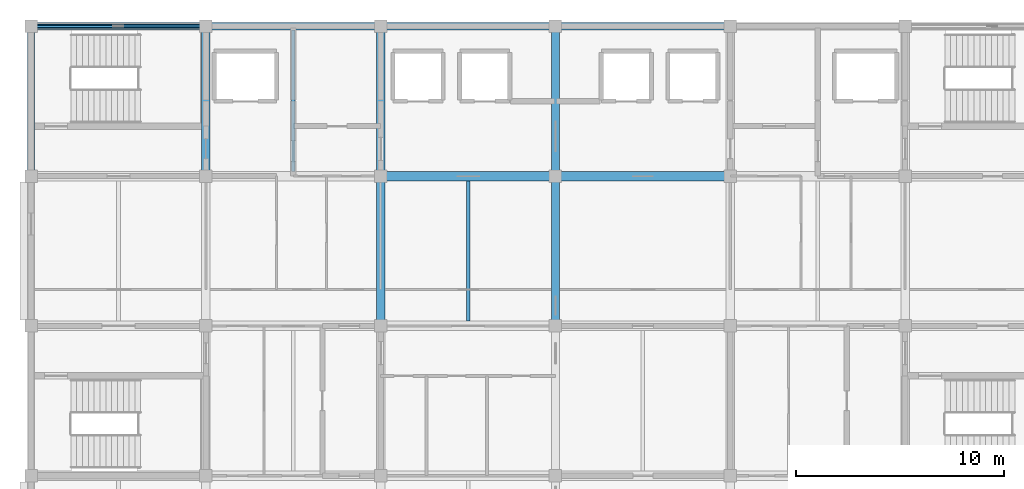
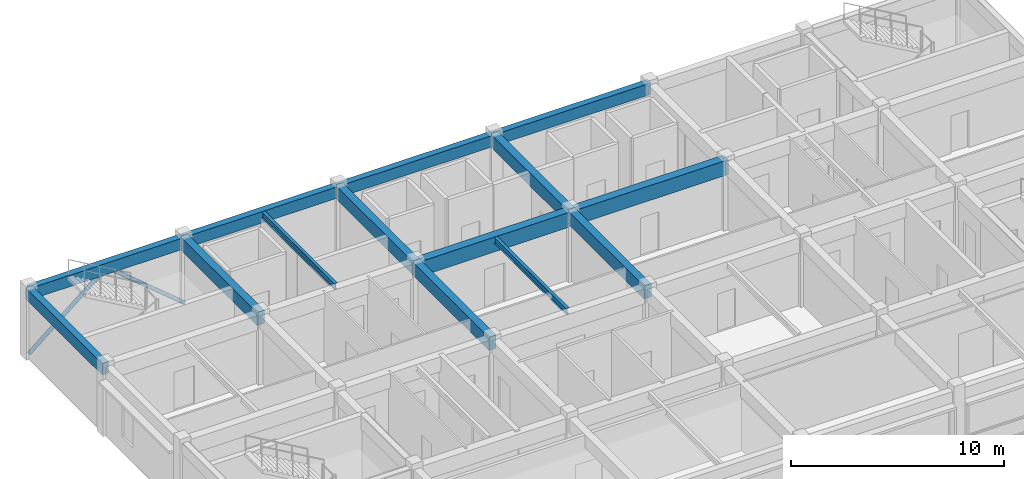
# One storey, part 3 of 13: 14 beams, 2 members.
"""IFC4 building model written with IfcOpenShell, lengths in metres."""

from ifc_helpers import new_model, si_unit, direction, frame, origin, origin_2d, place, context, subcontext, project, spatial, rectangle, hollow_circle, i_section, extrude, material, material_profile, profile_set, type_object, element, save


model = new_model("IFC4")

# Units and contexts
model_context = context("Model", 3, precision=1e-05, world=origin(), true_north=direction((0.0, 1.0)))
body_context = subcontext(model_context, "Body", "Model", "MODEL_VIEW")
ifc_project = project(units=[si_unit("LENGTHUNIT", "METRE"), si_unit("AREAUNIT", "SQUARE_METRE"), si_unit("VOLUMEUNIT", "CUBIC_METRE"), si_unit("PLANEANGLEUNIT", "RADIAN"), si_unit("MASSUNIT", "GRAM", prefix="KILO")], contexts=[model_context])

# Site, building, storey
site_placement = place(None, origin())
site = spatial("IfcSite", under=ifc_project, at=site_placement, CompositionType="ELEMENT")
building_placement = place(site_placement, origin())
building = spatial("IfcBuilding", under=site, at=building_placement, Name="Chengyuan Square Courthouse", CompositionType="ELEMENT")
storey_placement = place(building_placement, frame((0.0, 0.0, 64.5)))
storey = spatial("IfcBuildingStorey", under=building, at=storey_placement, Name="L15", CompositionType="ELEMENT", Elevation=64.5)

# Beams
ifc_material_1 = material(Name="Concrete C40", Category="concrete")
ifc_material_profile_1 = material_profile(ifc_material_1, rectangle(XDim=0.449951171875, YDim=0.85009765625, at=origin_2d()), Name="RC-BM-450x850")
ifc_profile_set_1 = profile_set([ifc_material_profile_1], Name="Concrete C40")
beam_type_1 = type_object("IfcBeamType", Name="BM-01", PredefinedType="USERDEFINED", material=ifc_profile_set_1)
for number, where, z_axis, x_axis, name in (
    (1, (75.60009765625, 100.800048828125, 3.52490234375), (1.0, 0.0, 0.0), (0.0, 1.0, 0.0), "Girder BM-L15-4511"),
    (2, (84.0, 100.800048828125, 3.52490234375), (1.0, 0.0, 0.0), (0.0, 1.0, 0.0), "Girder BM-L15-4512"),
):
    element("IfcBeam", number, at=place(storey_placement, frame(where, z_axis=z_axis, x_axis=x_axis)), inside=storey, type_object=beam_type_1, Name=name, ObjectType="GIRDER", PredefinedType="USERDEFINED", context=body_context, shape_type="SweptSolid", body=[
        extrude(rectangle(XDim=0.449951171875, YDim=0.85009765625, at=origin_2d()), origin(), (0.0, 0.0, 1.0), 8.39990234375),
    ])
ifc_material_profile_2 = material_profile(ifc_material_1, rectangle(XDim=0.39990234375, YDim=0.75, at=origin_2d()), Name="RC-BM-400x750")
ifc_profile_set_2 = profile_set([ifc_material_profile_2], Name="Concrete C40")
beam_type_2 = type_object("IfcBeamType", Name="BM-02", PredefinedType="USERDEFINED", material=ifc_profile_set_2)
for number, where, z_axis, x_axis, name in (
    (3, (67.199951171875, 100.800048828125, 3.574951171875), (0.0, 1.0, 0.0), (-1.0, 0.0, 0.0), "Girder BM-L15-4528"),
    (4, (75.60009765625, 93.60009765625, 3.574951171875), (0.0, 1.0, 0.0), (-1.0, 0.0, 0.0), "Girder BM-L15-4531"),
    (5, (75.60009765625, 100.800048828125, 3.574951171875), (0.0, 1.0, 0.0), (-1.0, 0.0, 0.0), "Girder BM-L15-4532"),
    (6, (84.0, 93.60009765625, 3.574951171875), (0.0, 1.0, 0.0), (-1.0, 0.0, 0.0), "Girder BM-L15-4535"),
    (7, (84.0, 100.800048828125, 3.574951171875), (0.0, 1.0, 0.0), (-1.0, 0.0, 0.0), "Girder BM-L15-4536"),
):
    element("IfcBeam", number, at=place(storey_placement, frame(where, z_axis=z_axis, x_axis=x_axis)), inside=storey, type_object=beam_type_2, Name=name, ObjectType="GIRDER", PredefinedType="USERDEFINED", context=body_context, shape_type="SweptSolid", body=[
        extrude(rectangle(XDim=0.39990234375, YDim=0.75, at=origin_2d()), origin(), (0.0, 0.0, 1.0), 7.199951171875),
    ])
ifc_material_profile_3 = material_profile(ifc_material_1, rectangle(XDim=0.35009765625, YDim=0.64990234375, at=origin_2d()), Name="RC-BM-350x650")
ifc_profile_set_3 = profile_set([ifc_material_profile_3], Name="Concrete C40")
beam_type_3 = type_object("IfcBeamType", Name="BM-03", PredefinedType="SPANDREL", material=ifc_profile_set_3)
beam_1_placement = place(storey_placement, frame((58.800048828125, 108.0, 3.625), z_axis=(1.0, 0.0, 0.0), x_axis=(0.0, 1.0, 0.0)))
element("IfcBeam", 8, at=beam_1_placement, inside=storey, type_object=beam_type_3, Name="Girder BM-L15-4515", PredefinedType="SPANDREL", context=body_context, shape_type="SweptSolid", body=[
    extrude(rectangle(XDim=0.35009765625, YDim=0.64990234375, at=origin_2d()), origin(), (0.0, 0.0, 1.0), 8.39990234375),
])
beam_2_placement = place(storey_placement, frame((67.199951171875, 108.0, 3.625), z_axis=(1.0, 0.0, 0.0), x_axis=(0.0, 1.0, 0.0)))
element("IfcBeam", 9, at=beam_2_placement, inside=storey, type_object=beam_type_3, Name="Girder BM-L15-4516", PredefinedType="SPANDREL", context=body_context, shape_type="SweptSolid", body=[
    extrude(rectangle(XDim=0.35009765625, YDim=0.64990234375, at=origin_2d()), origin(), (0.0, 0.0, 1.0), 8.400146484375),
])
for number, where, z_axis, x_axis, name in (
    (10, (75.60009765625, 108.0, 3.625), (1.0, 0.0, 0.0), (0.0, 1.0, 0.0), "Girder BM-L15-4517"),
    (11, (84.0, 108.0, 3.625), (1.0, 0.0, 0.0), (0.0, 1.0, 0.0), "Girder BM-L15-4518"),
):
    element("IfcBeam", number, at=place(storey_placement, frame(where, z_axis=z_axis, x_axis=x_axis)), inside=storey, type_object=beam_type_3, Name=name, PredefinedType="SPANDREL", context=body_context, shape_type="SweptSolid", body=[
        extrude(rectangle(XDim=0.35009765625, YDim=0.64990234375, at=origin_2d()), origin(), (0.0, 0.0, 1.0), 8.39990234375),
    ])
beam_3_placement = place(storey_placement, frame((58.800048828125, 100.800048828125, 3.625), z_axis=(0.0, 1.0, 0.0), x_axis=(-1.0, 0.0, 0.0)))
element("IfcBeam", 12, at=beam_3_placement, inside=storey, type_object=beam_type_3, Name="Girder BM-L15-4524", PredefinedType="SPANDREL", context=body_context, shape_type="SweptSolid", body=[
    extrude(rectangle(XDim=0.35009765625, YDim=0.64990234375, at=origin_2d()), origin(), (0.0, 0.0, 1.0), 7.199951171875),
])
ifc_material_2 = material(Name="Steel Q355B", Category="steel")
ifc_material_profile_4 = material_profile(ifc_material_2, i_section(OverallWidth=0.175048828125, OverallDepth=0.35009765625, WebThickness=0.007080078125, FlangeThickness=0.010986328125, at=origin_2d()), Name="HN 350x175x7x11")
ifc_profile_set_4 = profile_set([ifc_material_profile_4], Name="Steel Q355B")
beam_type_4 = type_object("IfcBeamType", Name="BM-08", PredefinedType="BEAM", material=ifc_profile_set_4)
beam_4_placement = place(storey_placement, frame((71.39990234375, 101.02490234375, 3.77490234375), z_axis=(0.0, 1.0, 0.0), x_axis=(-1.0, 0.0, 0.0)))
element("IfcBeam", 13, at=beam_4_placement, inside=storey, type_object=beam_type_4, Name="Secondary Floor Beam SBM-L15-4552", PredefinedType="BEAM", context=body_context, shape_type="SweptSolid", body=[
    extrude(i_section(OverallWidth=0.175048828125, OverallDepth=0.35009765625, WebThickness=0.007080078125, FlangeThickness=0.010986328125, at=origin_2d()), origin(), (0.0, 0.0, 1.0), 6.800048828125),
])
beam_5_placement = place(storey_placement, frame((79.800048828125, 93.824951171875, 3.77490234375), z_axis=(0.0, 1.0, 0.0), x_axis=(-1.0, 0.0, 0.0)))
element("IfcBeam", 14, at=beam_5_placement, inside=storey, type_object=beam_type_4, Name="Secondary Floor Beam SBM-L15-4554", PredefinedType="BEAM", context=body_context, shape_type="SweptSolid", body=[
    extrude(i_section(OverallWidth=0.175048828125, OverallDepth=0.35009765625, WebThickness=0.007080078125, FlangeThickness=0.010986328125, at=origin_2d()), origin(), (0.0, 0.0, 1.0), 6.75),
])

# Members
ifc_material_profile_5 = material_profile(ifc_material_2, hollow_circle(Radius=0.109619140625, WallThickness=0.008056640625, at=origin_2d()), Name="CHS 219x8")
ifc_profile_set_5 = profile_set([ifc_material_profile_5], Name="Steel Q355B")
member_type = type_object("IfcMemberType", Name="BR-02", PredefinedType="BRACE", material=ifc_profile_set_5)
for number, where, z_axis, x_axis, name in (
    (15, (58.800048828125, 108.0, 0.10009765625), (0.768217619255, 0.0, 0.64018879205), (0.0, 1.0, 0.0), "Steel Chevron Brace BR-L15-057"),
    (16, (67.199951171875, 108.0, 0.10009765625), (-0.768217619255, 0.0, 0.64018879205), (0.0, -1.0, 0.0), "Steel Chevron Brace BR-L15-058"),
):
    element("IfcMember", number, at=place(storey_placement, frame(where, z_axis=z_axis, x_axis=x_axis)), inside=storey, type_object=member_type, Name=name, PredefinedType="BRACE", context=body_context, shape_type="SweptSolid", body=[
        extrude(hollow_circle(Radius=0.109619140625, WallThickness=0.008056640625, at=origin_2d()), origin(), (0.0, 0.0, 1.0), 5.467041015625),
    ])

save(model, "model.ifc")
